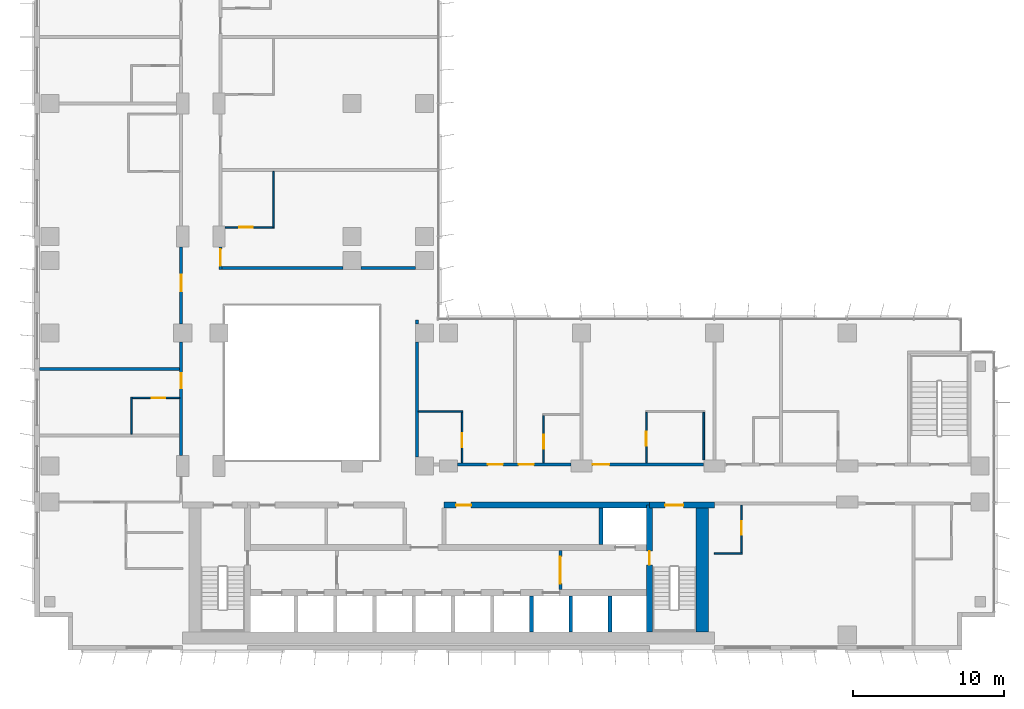
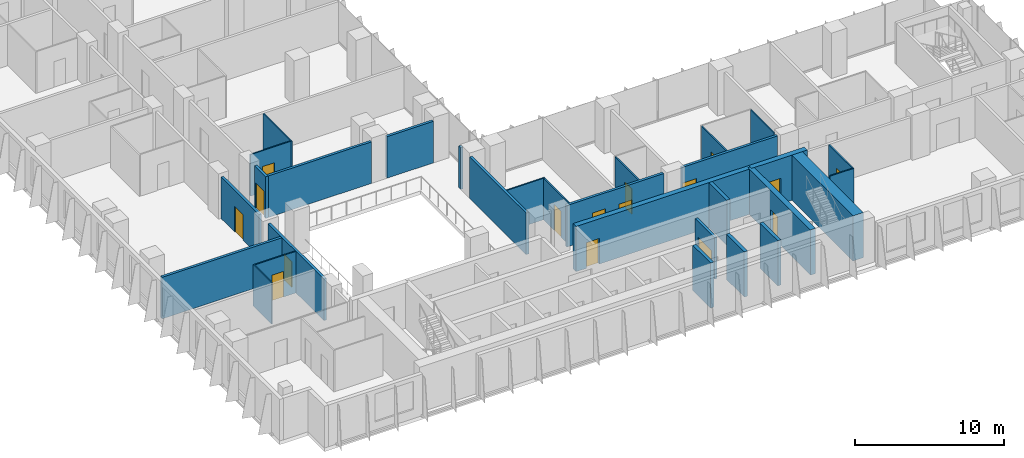
# One storey, part 13 of 22: 30 walls, 16 doors, 16 openings.
"""IFC4 building model written with IfcOpenShell, lengths in metres."""

from ifc_helpers import new_model, si_unit, direction, frame, frame_2d, origin, place, context, subcontext, project, spatial, rectangle, extrude, material, layer, layer_set, type_object, element, fill, save


model = new_model("IFC4")

# Units and contexts
model_context = context("Model", 3, precision=1e-05, world=origin(), true_north=direction((0.0, 1.0)))
body_context = subcontext(model_context, "Body", "Model", "MODEL_VIEW")
ifc_project = project(units=[si_unit("LENGTHUNIT", "METRE"), si_unit("AREAUNIT", "SQUARE_METRE"), si_unit("VOLUMEUNIT", "CUBIC_METRE"), si_unit("PLANEANGLEUNIT", "RADIAN"), si_unit("MASSUNIT", "GRAM", prefix="KILO")], contexts=[model_context])

# Site, building, storey
site_placement = place(None, origin())
site = spatial("IfcSite", under=ifc_project, at=site_placement, CompositionType="ELEMENT")
building_placement = place(site_placement, origin())
building = spatial("IfcBuilding", under=site, at=building_placement, Name="Kemantara Hotel Tower", CompositionType="ELEMENT")
storey_placement = place(building_placement, frame((0.0, 0.0, 94.5)))
storey = spatial("IfcBuildingStorey", under=building, at=storey_placement, Name="L22", CompositionType="ELEMENT", Elevation=94.5)

# Walls
ifc_material_1 = material(Name="Concrete fc 70 MPa", Category="concrete")
ifc_layer_1 = layer(ifc_material_1, 0.25)
ifc_layer_set_1 = layer_set([ifc_layer_1], Name="Concrete fc 70 MPa")
wall_type_1 = type_object("IfcWallType", Name="CORE WALL 250 FC70", PredefinedType="SHEAR", material=ifc_layer_set_1)
for number, where, z_axis, x_axis, name in (
    (1, (32.89990234375, 1.199951171875, 0.0), (0.0, 0.0, 1.0), (0.0, 1.0, 0.0), "CORE WALL CW-DS32.9"),
    (2, (35.5, 1.199951171875, 0.0), (0.0, 0.0, 1.0), (0.0, 1.0, 0.0), "CORE WALL CW-DS35.5"),
    (3, (38.10009765625, 1.199951171875, 0.0), (0.0, 0.0, 1.0), (0.0, 1.0, 0.0), "CORE WALL CW-DS38.1"),
):
    element("IfcWall", number, at=place(storey_placement, frame(where, z_axis=z_axis, x_axis=x_axis)), inside=storey, type_object=wall_type_1, Name=name, PredefinedType="SHEAR", context=body_context, shape_type="SweptSolid", body=[
        extrude(rectangle(XDim=2.400146484375, YDim=0.25, at=frame_2d((1.2001953125, 0.0))), origin(), (0.0, 0.0, 1.0), 3.699951171875),
    ])
wall_1_placement = place(storey_placement, frame((37.5, 7.0, 0.0), z_axis=(0.0, 0.0, 1.0), x_axis=(0.0, 1.0, 0.0)))
element("IfcWall", 4, at=wall_1_placement, inside=storey, type_object=wall_type_1, Name="CORE WALL CW-DN37.5", PredefinedType="SHEAR", context=body_context, shape_type="SweptSolid", body=[
    extrude(rectangle(XDim=2.39990234375, YDim=0.25, at=frame_2d((1.199951171875, 0.0))), origin(), (0.0, 0.0, 1.0), 3.699951171875),
])

# Wall, opening, door
ifc_layer_2 = layer(ifc_material_1, 0.39990234375)
ifc_layer_set_2 = layer_set([ifc_layer_2], Name="Concrete fc 70 MPa")
wall_type_2 = type_object("IfcWallType", Name="CORE WALL 400 FC70", PredefinedType="SHEAR", material=ifc_layer_set_2)
wall_2_placement = place(storey_placement, frame((40.699951171875, 9.60009765625, 0.0), z_axis=(0.0, 0.0, 1.0), x_axis=(1.0, 0.0, 0.0)))
wall_2 = element("IfcWall", 5, at=wall_2_placement, inside=storey, type_object=wall_type_2, Name="CORE WALL CW-N2", PredefinedType="SHEAR", context=body_context, shape_type="SweptSolid", body=[
    extrude(rectangle(XDim=4.300048828125, YDim=0.39990234375, at=frame_2d((2.14990234375, 0.0))), origin(), (0.0, 0.0, 1.0), 3.699951171875),
])
opening_1_placement = place(wall_2_placement, frame((1.050048828125, 0.0, 0.0)))
opening_1 = element("IfcOpeningElement", 6, at=opening_1_placement, cuts=wall_2, Name="Opening C15-ST2-C", PredefinedType="OPENING", context=body_context, shape_type="SweptSolid", body=[
    extrude(rectangle(XDim=1.199951171875, YDim=2.10009765625, at=frame_2d((0.60009765625, 1.050048828125))), frame((0.0, 0.2099609375, 0.0), z_axis=(0.0, -1.0, 0.0), x_axis=(1.0, 0.0, 0.0)), (0.0, 0.0, 1.0), 0.419921875),
])
ifc_material_2 = material(Name="Steel fire door", Category="steel")
door_type_1 = type_object("IfcDoorType", Name="Fire door FD90 1200 x 2100", OperationType="NOTDEFINED", PredefinedType="DOOR", material=ifc_material_2)
door_1_placement = place(opening_1_placement, frame((1.199951171875, 0.0, 0.0), z_axis=(0.0, 0.0, 1.0), x_axis=(-1.0, 0.0, 0.0)))
door_1 = element("IfcDoor", 7, at=door_1_placement, inside=storey, type_object=door_type_1, Name="Stair ST2 door to corridor", OperationType="SINGLE_SWING_RIGHT", OverallHeight=2.10009765625, OverallWidth=1.199951171875, PredefinedType="DOOR", context=body_context, shape_type="SweptSolid", body=[
    extrude(rectangle(XDim=1.199951171875, YDim=2.10009765625, at=frame_2d((0.60009765625, 1.050048828125))), frame((0.0, 0.02490234375, 0.0), z_axis=(0.0, -1.0, 0.0), x_axis=(1.0, 0.0, 0.0)), (0.0, 0.0, 1.0), 0.050048828125),
])
fill(opening_1, door_1)

wall_3_placement = place(storey_placement, frame((27.10009765625, 9.60009765625, 0.0), z_axis=(0.0, 0.0, 1.0), x_axis=(1.0, 0.0, 0.0)))
wall_3 = element("IfcWall", 8, at=wall_3_placement, inside=storey, type_object=wall_type_2, Name="CORE WALL CW-NN2", PredefinedType="SHEAR", context=body_context, shape_type="SweptSolid", body=[
    extrude(rectangle(XDim=13.599853515625, YDim=0.39990234375, at=frame_2d((6.7998046875, 0.0))), origin(), (0.0, 0.0, 1.0), 3.699951171875),
])
opening_2_placement = place(wall_3_placement, frame((0.800048828125, 0.0, 0.0)))
opening_2 = element("IfcOpeningElement", 9, at=opening_2_placement, cuts=wall_3, Name="Opening C15-R-NE1", PredefinedType="OPENING", context=body_context, shape_type="SweptSolid", body=[
    extrude(rectangle(XDim=1.0, YDim=2.10009765625, at=frame_2d((0.5, 1.050048828125))), frame((0.0, 0.2099609375, 0.0), z_axis=(0.0, -1.0, 0.0), x_axis=(1.0, 0.0, 0.0)), (0.0, 0.0, 1.0), 0.419921875),
])
door_type_2 = type_object("IfcDoorType", Name="Fire door FD30S 1000 x 2100", OperationType="NOTDEFINED", PredefinedType="DOOR", material=ifc_material_2)
door_2_placement = place(opening_2_placement, frame((1.0, 0.0, 0.0), z_axis=(0.0, 0.0, 1.0), x_axis=(-1.0, 0.0, 0.0)))
door_2 = element("IfcDoor", 10, at=door_2_placement, inside=storey, type_object=door_type_2, Name="Luggage Store door", OperationType="SINGLE_SWING_RIGHT", OverallHeight=2.10009765625, OverallWidth=1.0, PredefinedType="DOOR", context=body_context, shape_type="SweptSolid", body=[
    extrude(rectangle(XDim=1.0, YDim=2.10009765625, at=frame_2d((0.5, 1.050048828125))), frame((0.0, 0.02490234375, 0.0), z_axis=(0.0, -1.0, 0.0), x_axis=(1.0, 0.0, 0.0)), (0.0, 0.0, 1.0), 0.050048828125),
])
fill(opening_2, door_2)

wall_4_placement = place(storey_placement, frame((40.699951171875, 1.199951171875, 0.0), z_axis=(0.0, 0.0, 1.0), x_axis=(0.0, 1.0, 0.0)))
wall_4 = element("IfcWall", 11, at=wall_4_placement, inside=storey, type_object=wall_type_2, Name="CORE WALL CW-ST2W", PredefinedType="SHEAR", context=body_context, shape_type="SweptSolid", body=[
    extrude(rectangle(XDim=8.400146484375, YDim=0.39990234375, at=frame_2d((4.2001953125, 0.0))), origin(), (0.0, 0.0, 1.0), 3.699951171875),
])
opening_3_placement = place(wall_4_placement, frame((4.449951171875, 0.0, 0.0)))
opening_3 = element("IfcOpeningElement", 12, at=opening_3_placement, cuts=wall_4, Name="Opening C15-ST2-F", PredefinedType="OPENING", context=body_context, shape_type="SweptSolid", body=[
    extrude(rectangle(XDim=0.89990234375, YDim=2.10009765625, at=frame_2d((0.449951171875, 1.050048828125))), frame((0.0, 0.2099609375, 0.0), z_axis=(0.0, -1.0, 0.0), x_axis=(1.0, 0.0, 0.0)), (0.0, 0.0, 1.0), 0.419921875),
])
door_type_3 = type_object("IfcDoorType", Name="Fire door FD90 900 x 2100", OperationType="NOTDEFINED", PredefinedType="DOOR", material=ifc_material_2)
door_3_placement = place(opening_3_placement, frame((0.89990234375, 0.0, 0.0), z_axis=(0.0, 0.0, 1.0), x_axis=(-1.0, 0.0, 0.0)))
door_3 = element("IfcDoor", 13, at=door_3_placement, inside=storey, type_object=door_type_3, Name="Stair ST2 door to firefighting lobby", OperationType="SINGLE_SWING_LEFT", OverallHeight=2.10009765625, OverallWidth=0.89990234375, PredefinedType="DOOR", context=body_context, shape_type="SweptSolid", body=[
    extrude(rectangle(XDim=0.89990234375, YDim=2.10009765625, at=frame_2d((0.449951171875, 1.050048828125))), frame((0.0, 0.02490234375, 0.0), z_axis=(0.0, -1.0, 0.0), x_axis=(1.0, 0.0, 0.0)), (0.0, 0.0, 1.0), 0.050048828125),
])
fill(opening_3, door_3)

# Wall
ifc_layer_3 = layer(ifc_material_1, 0.800048828125)
ifc_layer_set_3 = layer_set([ifc_layer_3], Name="Concrete fc 70 MPa")
wall_type_3 = type_object("IfcWallType", Name="CORE WALL 800 FC70", PredefinedType="SHEAR", material=ifc_layer_set_3)
wall_5_placement = place(storey_placement, frame((44.199951171875, 1.199951171875, 0.0), z_axis=(0.0, 0.0, 1.0), x_axis=(0.0, 1.0, 0.0)))
element("IfcWall", 14, at=wall_5_placement, inside=storey, type_object=wall_type_3, Name="CORE WALL CW-E", PredefinedType="SHEAR", context=body_context, shape_type="SweptSolid", body=[
    extrude(rectangle(XDim=8.60009765625, YDim=0.800048828125, at=frame_2d((4.300048828125, 0.0))), origin(), (0.0, 0.0, 1.0), 3.699951171875),
])

# Wall, openings, doors
ifc_material_3 = material(Name="Gypsum board partition, steel studs and mineral wool, 200 mm", Category="steel")
ifc_layer_4 = layer(ifc_material_3, 0.199951171875)
ifc_layer_set_4 = layer_set([ifc_layer_4], Name="Gypsum board partition, steel studs and mineral wool, 200 mm")
wall_type_4 = type_object("IfcWallType", Name="CORRIDOR WALL 200", PredefinedType="PARTITIONING", material=ifc_layer_set_4)
wall_6_placement = place(storey_placement, frame((28.0, 12.300048828125, 0.0), z_axis=(0.0, 0.0, 1.0), x_axis=(1.0, 0.0, 0.0)))
wall_6 = element("IfcWall", 15, at=wall_6_placement, inside=storey, type_object=wall_type_4, Name="CORRIDOR WALL 200 005", PredefinedType="PARTITIONING", context=body_context, shape_type="SweptSolid", body=[
    extrude(rectangle(XDim=7.5, YDim=0.199951171875, at=frame_2d((3.75, 0.0))), origin(), (0.0, 0.0, 1.0), 3.39990234375),
])
opening_4_placement = place(wall_6_placement, frame((2.0, 0.0, 0.0)))
opening_4 = element("IfcOpeningElement", 16, at=opening_4_placement, cuts=wall_6, Name="Opening F08-005", PredefinedType="OPENING", context=body_context, shape_type="SweptSolid", body=[
    extrude(rectangle(XDim=1.0, YDim=2.10009765625, at=frame_2d((0.5, 1.050048828125))), frame((0.0, 0.10986328125, 0.0), z_axis=(0.0, -1.0, 0.0), x_axis=(1.0, 0.0, 0.0)), (0.0, 0.0, 1.0), 0.219970703125),
])
opening_5_placement = place(wall_6_placement, frame((4.0498046875, 0.0, 0.0)))
opening_5 = element("IfcOpeningElement", 17, at=opening_5_placement, cuts=wall_6, Name="Opening F08-007", PredefinedType="OPENING", context=body_context, shape_type="SweptSolid", body=[
    extrude(rectangle(XDim=1.0, YDim=2.10009765625, at=frame_2d((0.5, 1.050048828125))), frame((0.0, 0.10986328125, 0.0), z_axis=(0.0, -1.0, 0.0), x_axis=(1.0, 0.0, 0.0)), (0.0, 0.0, 1.0), 0.219970703125),
])
ifc_material_4 = material(Name="Hardwood veneer door leaf with steel frame", Category="steel")
door_type_4 = type_object("IfcDoorType", Name="GUEST ROOM DOOR 1000 X 2100 FD30S", OperationType="NOTDEFINED", PredefinedType="DOOR", material=ifc_material_4)
door_4_placement = place(opening_4_placement, origin())
door_4 = element("IfcDoor", 18, at=door_4_placement, inside=storey, type_object=door_type_4, Name="GUEST ROOM DOOR F08-005", OperationType="SINGLE_SWING_RIGHT", OverallHeight=2.10009765625, OverallWidth=1.0, PredefinedType="DOOR", context=body_context, shape_type="SweptSolid", body=[
    extrude(rectangle(XDim=1.0, YDim=2.10009765625, at=frame_2d((0.5, 1.050048828125))), frame((0.0, 0.02490234375, 0.0), z_axis=(0.0, -1.0, 0.0), x_axis=(1.0, 0.0, 0.0)), (0.0, 0.0, 1.0), 0.050048828125),
])
fill(opening_4, door_4)
door_5_placement = place(opening_5_placement, origin())
door_5 = element("IfcDoor", 19, at=door_5_placement, inside=storey, type_object=door_type_4, Name="GUEST ROOM DOOR F08-007", OperationType="SINGLE_SWING_LEFT", OverallHeight=2.10009765625, OverallWidth=1.0, PredefinedType="DOOR", context=body_context, shape_type="SweptSolid", body=[
    extrude(rectangle(XDim=1.0, YDim=2.10009765625, at=frame_2d((0.5, 1.050048828125))), frame((0.0, 0.02490234375, 0.0), z_axis=(0.0, -1.0, 0.0), x_axis=(1.0, 0.0, 0.0)), (0.0, 0.0, 1.0), 0.050048828125),
])
fill(opening_5, door_5)

# Wall, opening, door
wall_7_placement = place(storey_placement, frame((36.900146484375, 12.300048828125, 0.0), z_axis=(0.0, 0.0, 1.0), x_axis=(1.0, 0.0, 0.0)))
wall_7 = element("IfcWall", 20, at=wall_7_placement, inside=storey, type_object=wall_type_4, Name="CORRIDOR WALL 200 006", PredefinedType="PARTITIONING", context=body_context, shape_type="SweptSolid", body=[
    extrude(rectangle(XDim=7.399658203125, YDim=0.199951171875, at=frame_2d((3.69970703125, 0.0))), origin(), (0.0, 0.0, 1.0), 3.39990234375),
])
opening_6_placement = place(wall_7_placement, frame((0.0498046875, 0.0, 0.0)))
opening_6 = element("IfcOpeningElement", 21, at=opening_6_placement, cuts=wall_7, Name="Opening F08-009", PredefinedType="OPENING", context=body_context, shape_type="SweptSolid", body=[
    extrude(rectangle(XDim=1.10009765625, YDim=2.10009765625, at=frame_2d((0.550048828125, 1.050048828125))), frame((0.0, 0.10986328125, 0.0), z_axis=(0.0, -1.0, 0.0), x_axis=(1.0, 0.0, 0.0)), (0.0, 0.0, 1.0), 0.219970703125),
])
door_type_5 = type_object("IfcDoorType", Name="SUITE ENTRANCE DOOR 1100 X 2100 FD30S", OperationType="NOTDEFINED", PredefinedType="DOOR", material=ifc_material_4)
door_6_placement = place(opening_6_placement, origin())
door_6 = element("IfcDoor", 22, at=door_6_placement, inside=storey, type_object=door_type_5, Name="SUITE ENTRANCE DOOR F08-009", OperationType="SINGLE_SWING_LEFT", OverallHeight=2.10009765625, OverallWidth=1.10009765625, PredefinedType="DOOR", context=body_context, shape_type="SweptSolid", body=[
    extrude(rectangle(XDim=1.10009765625, YDim=2.10009765625, at=frame_2d((0.550048828125, 1.050048828125))), frame((0.0, 0.02490234375, 0.0), z_axis=(0.0, -1.0, 0.0), x_axis=(1.0, 0.0, 0.0)), (0.0, 0.0, 1.0), 0.050048828125),
])
fill(opening_6, door_6)

wall_8_placement = place(storey_placement, frame((9.699951171875, 12.900146484375, 0.0), z_axis=(0.0, 0.0, 1.0), x_axis=(0.0, 1.0, 0.0)))
wall_8 = element("IfcWall", 23, at=wall_8_placement, inside=storey, type_object=wall_type_4, Name="CORRIDOR WALL 200 016", PredefinedType="PARTITIONING", context=body_context, shape_type="SweptSolid", body=[
    extrude(rectangle(XDim=7.499755859375, YDim=0.199951171875, at=frame_2d((3.75, 0.0))), origin(), (0.0, 0.0, 1.0), 3.39990234375),
])
opening_7_placement = place(wall_8_placement, frame((4.449951171875, 0.0, 0.0)))
opening_7 = element("IfcOpeningElement", 24, at=opening_7_placement, cuts=wall_8, Name="Opening F08-019", PredefinedType="OPENING", context=body_context, shape_type="SweptSolid", body=[
    extrude(rectangle(XDim=1.0, YDim=2.10009765625, at=frame_2d((0.5, 1.050048828125))), frame((0.0, 0.10986328125, 0.0), z_axis=(0.0, -1.0, 0.0), x_axis=(1.0, 0.0, 0.0)), (0.0, 0.0, 1.0), 0.219970703125),
])
door_7_placement = place(opening_7_placement, origin())
door_7 = element("IfcDoor", 25, at=door_7_placement, inside=storey, type_object=door_type_4, Name="GUEST ROOM DOOR F08-019", OperationType="SINGLE_SWING_RIGHT", OverallHeight=2.10009765625, OverallWidth=1.0, PredefinedType="DOOR", context=body_context, shape_type="SweptSolid", body=[
    extrude(rectangle(XDim=1.0, YDim=2.10009765625, at=frame_2d((0.5, 1.050048828125))), frame((0.0, 0.02490234375, 0.0), z_axis=(0.0, -1.0, 0.0), x_axis=(1.0, 0.0, 0.0)), (0.0, 0.0, 1.0), 0.050048828125),
])
fill(opening_7, door_7)

wall_9_placement = place(storey_placement, frame((9.699951171875, 21.60009765625, 0.0), z_axis=(0.0, 0.0, 1.0), x_axis=(0.0, 1.0, 0.0)))
wall_9 = element("IfcWall", 26, at=wall_9_placement, inside=storey, type_object=wall_type_4, Name="CORRIDOR WALL 200 017", PredefinedType="PARTITIONING", context=body_context, shape_type="SweptSolid", body=[
    extrude(rectangle(XDim=5.099853515625, YDim=0.199951171875, at=frame_2d((2.5498046875, 0.0))), origin(), (0.0, 0.0, 1.0), 3.39990234375),
])
opening_8_placement = place(wall_9_placement, frame((2.14990234375, 0.0, 0.0)))
opening_8 = element("IfcOpeningElement", 27, at=opening_8_placement, cuts=wall_9, Name="Opening F08-021", PredefinedType="OPENING", context=body_context, shape_type="SweptSolid", body=[
    extrude(rectangle(XDim=1.10009765625, YDim=2.10009765625, at=frame_2d((0.550048828125, 1.050048828125))), frame((0.0, 0.10986328125, 0.0), z_axis=(0.0, -1.0, 0.0), x_axis=(1.0, 0.0, 0.0)), (0.0, 0.0, 1.0), 0.219970703125),
])
door_8_placement = place(opening_8_placement, origin())
door_8 = element("IfcDoor", 28, at=door_8_placement, inside=storey, type_object=door_type_5, Name="SUITE ENTRANCE DOOR F08-021", OperationType="SINGLE_SWING_LEFT", OverallHeight=2.10009765625, OverallWidth=1.10009765625, PredefinedType="DOOR", context=body_context, shape_type="SweptSolid", body=[
    extrude(rectangle(XDim=1.10009765625, YDim=2.10009765625, at=frame_2d((0.550048828125, 1.050048828125))), frame((0.0, 0.02490234375, 0.0), z_axis=(0.0, -1.0, 0.0), x_axis=(1.0, 0.0, 0.0)), (0.0, 0.0, 1.0), 0.050048828125),
])
fill(opening_8, door_8)

wall_10_placement = place(storey_placement, frame((12.300048828125, 26.699951171875, 0.0), z_axis=(0.0, 0.0, 1.0), x_axis=(0.0, -1.0, 0.0)))
wall_10 = element("IfcWall", 29, at=wall_10_placement, inside=storey, type_object=wall_type_4, Name="CORRIDOR WALL 200 030", PredefinedType="PARTITIONING", context=body_context, shape_type="SweptSolid", body=[
    extrude(rectangle(XDim=1.5, YDim=0.199951171875, at=frame_2d((0.75, 0.0))), origin(), (0.0, 0.0, 1.0), 3.39990234375),
])
opening_9_placement = place(wall_10_placement, frame((0.14990234375, 0.0, 0.0)))
opening_9 = element("IfcOpeningElement", 30, at=opening_9_placement, cuts=wall_10, Name="Opening F08-033", PredefinedType="OPENING", context=body_context, shape_type="SweptSolid", body=[
    extrude(rectangle(XDim=1.10009765625, YDim=2.10009765625, at=frame_2d((0.550048828125, 1.050048828125))), frame((0.0, 0.10986328125, 0.0), z_axis=(0.0, -1.0, 0.0), x_axis=(1.0, 0.0, 0.0)), (0.0, 0.0, 1.0), 0.219970703125),
])
door_9_placement = place(opening_9_placement, origin())
door_9 = element("IfcDoor", 31, at=door_9_placement, inside=storey, type_object=door_type_5, Name="SUITE ENTRANCE DOOR F08-033", OperationType="SINGLE_SWING_RIGHT", OverallHeight=2.10009765625, OverallWidth=1.10009765625, PredefinedType="DOOR", context=body_context, shape_type="SweptSolid", body=[
    extrude(rectangle(XDim=1.10009765625, YDim=2.10009765625, at=frame_2d((0.550048828125, 1.050048828125))), frame((0.0, 0.02490234375, 0.0), z_axis=(0.0, -1.0, 0.0), x_axis=(1.0, 0.0, 0.0)), (0.0, 0.0, 1.0), 0.050048828125),
])
fill(opening_9, door_9)

# Walls
ifc_layer_5 = layer(ifc_material_3, 0.199951171875)
ifc_layer_set_5 = layer_set([ifc_layer_5], Name="Gypsum board partition, steel studs and mineral wool, 200 mm")
wall_type_5 = type_object("IfcWallType", Name="GUEST ROOM PARTY WALL 200", PredefinedType="PARTITIONING", material=ifc_layer_set_5)
wall_11_placement = place(storey_placement, frame((25.300048828125, 12.800048828125, 0.0), z_axis=(0.0, 0.0, 1.0), x_axis=(0.0, 1.0, 0.0)))
element("IfcWall", 32, at=wall_11_placement, inside=storey, type_object=wall_type_5, Name="GUEST ROOM PARTY WALL 200 009", PredefinedType="PARTITIONING", context=body_context, shape_type="SweptSolid", body=[
    extrude(rectangle(XDim=7.599853515625, YDim=0.199951171875, at=frame_2d((3.7998046875, 0.0))), origin(), (0.0, 0.0, 1.0), 3.39990234375),
])
wall_12_placement = place(storey_placement, frame((25.300048828125, 21.60009765625, 0.0), z_axis=(0.0, 0.0, 1.0), x_axis=(0.0, 1.0, 0.0)))
element("IfcWall", 33, at=wall_12_placement, inside=storey, type_object=wall_type_5, Name="GUEST ROOM PARTY WALL 200 010", PredefinedType="PARTITIONING", context=body_context, shape_type="SweptSolid", body=[
    extrude(rectangle(XDim=0.27001953125, YDim=0.199951171875, at=frame_2d((0.135009765625, 0.0))), origin(), (0.0, 0.0, 1.0), 3.39990234375),
])
wall_13_placement = place(storey_placement, frame((0.31005859375, 18.60009765625, 0.0), z_axis=(0.0, 0.0, 1.0), x_axis=(1.0, 0.0, 0.0)))
element("IfcWall", 34, at=wall_13_placement, inside=storey, type_object=wall_type_5, Name="GUEST ROOM PARTY WALL 200 025", PredefinedType="PARTITIONING", context=body_context, shape_type="SweptSolid", body=[
    extrude(rectangle(XDim=9.2900390625, YDim=0.199951171875, at=frame_2d((4.64501953125, 0.0))), origin(), (0.0, 0.0, 1.0), 3.39990234375),
])
wall_14_placement = place(storey_placement, frame((12.39990234375, 25.300048828125, 0.0), z_axis=(0.0, 0.0, 1.0), x_axis=(1.0, 0.0, 0.0)))
element("IfcWall", 35, at=wall_14_placement, inside=storey, type_object=wall_type_5, Name="GUEST ROOM PARTY WALL 200 037", PredefinedType="PARTITIONING", context=body_context, shape_type="SweptSolid", body=[
    extrude(rectangle(XDim=8.0, YDim=0.199951171875, at=frame_2d((4.0, 0.0))), origin(), (0.0, 0.0, 1.0), 3.39990234375),
])
wall_15_placement = place(storey_placement, frame((21.60009765625, 25.300048828125, 0.0), z_axis=(0.0, 0.0, 1.0), x_axis=(1.0, 0.0, 0.0)))
element("IfcWall", 36, at=wall_15_placement, inside=storey, type_object=wall_type_5, Name="GUEST ROOM PARTY WALL 200 038", PredefinedType="PARTITIONING", context=body_context, shape_type="SweptSolid", body=[
    extrude(rectangle(XDim=3.599853515625, YDim=0.199951171875, at=frame_2d((1.7998046875, 0.0))), origin(), (0.0, 0.0, 1.0), 3.39990234375),
])

# Wall, opening, door
ifc_material_5 = material(Name="Gypsum board shaft wall")
ifc_layer_6 = layer(ifc_material_5, 0.199951171875)
ifc_layer_set_6 = layer_set([ifc_layer_6], Name="Gypsum board shaft wall")
wall_type_6 = type_object("IfcWallType", Name="Gypsum board shaft wall 200 mm", PredefinedType="PARTITIONING", material=ifc_layer_set_6)
wall_16_placement = place(storey_placement, frame((34.800048828125, 4.0, 0.0), z_axis=(0.0, 0.0, 1.0), x_axis=(0.0, 1.0, 0.0)))
wall_16 = element("IfcWall", 37, at=wall_16_placement, inside=storey, type_object=wall_type_6, Name="Firefighting lobby partition east", PredefinedType="PARTITIONING", context=body_context, shape_type="SweptSolid", body=[
    extrude(rectangle(XDim=2.60009765625, YDim=0.199951171875, at=frame_2d((1.300048828125, 0.0))), origin(), (0.0, 0.0, 1.0), 3.39990234375),
])
opening_10_placement = place(wall_16_placement, frame((0.39990234375, 0.0, 0.0)))
opening_10 = element("IfcOpeningElement", 38, at=opening_10_placement, cuts=wall_16, Name="Opening C15-FFE", PredefinedType="OPENING", context=body_context, shape_type="SweptSolid", body=[
    extrude(rectangle(XDim=1.800048828125, YDim=2.10009765625, at=frame_2d((0.89990234375, 1.050048828125))), frame((0.0, 0.10986328125, 0.0), z_axis=(0.0, -1.0, 0.0), x_axis=(1.0, 0.0, 0.0)), (0.0, 0.0, 1.0), 0.219970703125),
])
door_type_6 = type_object("IfcDoorType", Name="Fire door pair FD60 1800 x 2100", OperationType="DOUBLE_DOOR_SINGLE_SWING", PredefinedType="DOOR", material=ifc_material_2)
door_10_placement = place(opening_10_placement, frame((1.800048828125, 0.0, 0.0), z_axis=(0.0, 0.0, 1.0), x_axis=(-1.0, 0.0, 0.0)))
door_10 = element("IfcDoor", 39, at=door_10_placement, inside=storey, type_object=door_type_6, Name="Firefighting lobby door east", OperationType="DOUBLE_DOOR_SINGLE_SWING", OverallHeight=2.10009765625, OverallWidth=1.800048828125, PredefinedType="DOOR", context=body_context, shape_type="SweptSolid", body=[
    extrude(rectangle(XDim=1.800048828125, YDim=2.10009765625, at=frame_2d((0.89990234375, 1.050048828125))), frame((0.0, 0.02490234375, 0.0), z_axis=(0.0, -1.0, 0.0), x_axis=(1.0, 0.0, 0.0)), (0.0, 0.0, 1.0), 0.050048828125),
])
fill(opening_10, door_10)

# Wall
ifc_material_6 = material(Name="Gypsum board partition on steel studs, 100 mm", Category="steel")
ifc_layer_7 = layer(ifc_material_6, 0.10009765625)
ifc_layer_set_7 = layer_set([ifc_layer_7], Name="Gypsum board partition on steel studs, 100 mm")
wall_type_7 = type_object("IfcWallType", Name="ROOM PARTITION 100", PredefinedType="PARTITIONING", material=ifc_layer_set_7)
wall_17_placement = place(storey_placement, frame((45.0, 6.39990234375, 0.0), z_axis=(0.0, 0.0, 1.0), x_axis=(1.0, 0.0, 0.0)))
element("IfcWall", 40, at=wall_17_placement, inside=storey, type_object=wall_type_7, Name="ROOM PARTITION 100 050", PredefinedType="PARTITIONING", context=body_context, shape_type="SweptSolid", body=[
    extrude(rectangle(XDim=1.85009765625, YDim=0.10009765625, at=frame_2d((0.925048828125, 0.0))), origin(), (0.0, 0.0, 1.0), 3.39990234375),
])

# Wall, opening, door
wall_18_placement = place(storey_placement, frame((46.800048828125, 6.449951171875, 0.0), z_axis=(0.0, 0.0, 1.0), x_axis=(0.0, 1.0, 0.0)))
wall_18 = element("IfcWall", 41, at=wall_18_placement, inside=storey, type_object=wall_type_7, Name="ROOM PARTITION 100 051", PredefinedType="PARTITIONING", context=body_context, shape_type="SweptSolid", body=[
    extrude(rectangle(XDim=3.150146484375, YDim=0.10009765625, at=frame_2d((1.5751953125, 0.0))), origin(), (0.0, 0.0, 1.0), 3.39990234375),
])
opening_11_placement = place(wall_18_placement, frame((1.199951171875, 0.0, 0.0)))
opening_11 = element("IfcOpeningElement", 42, at=opening_11_placement, cuts=wall_18, Name="Opening F08-002", PredefinedType="OPENING", context=body_context, shape_type="SweptSolid", body=[
    extrude(rectangle(XDim=0.89990234375, YDim=2.10009765625, at=frame_2d((0.449951171875, 1.050048828125))), frame((0.0, 0.06005859375, 0.0), z_axis=(0.0, -1.0, 0.0), x_axis=(1.0, 0.0, 0.0)), (0.0, 0.0, 1.0), 0.1201171875),
])
door_type_7 = type_object("IfcDoorType", Name="INTERNAL DOOR 900 X 2100", OperationType="NOTDEFINED", PredefinedType="DOOR", material=ifc_material_4)
door_11_placement = place(opening_11_placement, origin())
door_11 = element("IfcDoor", 43, at=door_11_placement, inside=storey, type_object=door_type_7, Name="INTERNAL DOOR F08-002", OperationType="SINGLE_SWING_RIGHT", OverallHeight=2.10009765625, OverallWidth=0.89990234375, PredefinedType="DOOR", context=body_context, shape_type="SweptSolid", body=[
    extrude(rectangle(XDim=0.89990234375, YDim=2.10009765625, at=frame_2d((0.449951171875, 1.050048828125))), frame((0.0, 0.02490234375, 0.0), z_axis=(0.0, -1.0, 0.0), x_axis=(1.0, 0.0, 0.0)), (0.0, 0.0, 1.0), 0.050048828125),
])
fill(opening_11, door_11)

# Wall
wall_19_placement = place(storey_placement, frame((25.39990234375, 15.800048828125, 0.0), z_axis=(0.0, 0.0, 1.0), x_axis=(1.0, 0.0, 0.0)))
element("IfcWall", 44, at=wall_19_placement, inside=storey, type_object=wall_type_7, Name="ROOM PARTITION 100 054", PredefinedType="PARTITIONING", context=body_context, shape_type="SweptSolid", body=[
    extrude(rectangle(XDim=2.9501953125, YDim=0.10009765625, at=frame_2d((1.47509765625, 0.0))), origin(), (0.0, 0.0, 1.0), 3.39990234375),
])

# Wall, opening, door
wall_20_placement = place(storey_placement, frame((28.300048828125, 12.39990234375, 0.0), z_axis=(0.0, 0.0, 1.0), x_axis=(0.0, 1.0, 0.0)))
wall_20 = element("IfcWall", 45, at=wall_20_placement, inside=storey, type_object=wall_type_7, Name="ROOM PARTITION 100 057", PredefinedType="PARTITIONING", context=body_context, shape_type="SweptSolid", body=[
    extrude(rectangle(XDim=3.35009765625, YDim=0.10009765625, at=frame_2d((1.675048828125, 0.0))), origin(), (0.0, 0.0, 1.0), 3.39990234375),
])
opening_12_placement = place(wall_20_placement, frame((1.050048828125, 0.0, 0.0)))
opening_12 = element("IfcOpeningElement", 46, at=opening_12_placement, cuts=wall_20, Name="Opening F08-006", PredefinedType="OPENING", context=body_context, shape_type="SweptSolid", body=[
    extrude(rectangle(XDim=0.89990234375, YDim=2.10009765625, at=frame_2d((0.449951171875, 1.050048828125))), frame((0.0, 0.06005859375, 0.0), z_axis=(0.0, -1.0, 0.0), x_axis=(1.0, 0.0, 0.0)), (0.0, 0.0, 1.0), 0.1201171875),
])
door_type_8 = type_object("IfcDoorType", Name="BATHROOM DOOR 900 X 2100", OperationType="NOTDEFINED", PredefinedType="DOOR", material=ifc_material_4)
door_12_placement = place(opening_12_placement, origin())
door_12 = element("IfcDoor", 47, at=door_12_placement, inside=storey, type_object=door_type_8, Name="BATHROOM DOOR F08-006", OperationType="SINGLE_SWING_LEFT", OverallHeight=2.10009765625, OverallWidth=0.89990234375, PredefinedType="DOOR", context=body_context, shape_type="SweptSolid", body=[
    extrude(rectangle(XDim=0.89990234375, YDim=2.10009765625, at=frame_2d((0.449951171875, 1.050048828125))), frame((0.0, 0.02490234375, 0.0), z_axis=(0.0, -1.0, 0.0), x_axis=(1.0, 0.0, 0.0)), (0.0, 0.0, 1.0), 0.050048828125),
])
fill(opening_12, door_12)

wall_21_placement = place(storey_placement, frame((33.699951171875, 15.550048828125, 0.0), z_axis=(0.0, 0.0, 1.0), x_axis=(0.0, -1.0, 0.0)))
wall_21 = element("IfcWall", 48, at=wall_21_placement, inside=storey, type_object=wall_type_7, Name="ROOM PARTITION 100 059", PredefinedType="PARTITIONING", context=body_context, shape_type="SweptSolid", body=[
    extrude(rectangle(XDim=3.150146484375, YDim=0.10009765625, at=frame_2d((1.5751953125, 0.0))), origin(), (0.0, 0.0, 1.0), 3.39990234375),
])
opening_13_placement = place(wall_21_placement, frame((1.300048828125, 0.0, 0.0)))
opening_13 = element("IfcOpeningElement", 49, at=opening_13_placement, cuts=wall_21, Name="Opening F08-008", PredefinedType="OPENING", context=body_context, shape_type="SweptSolid", body=[
    extrude(rectangle(XDim=0.89990234375, YDim=2.10009765625, at=frame_2d((0.449951171875, 1.050048828125))), frame((0.0, 0.06005859375, 0.0), z_axis=(0.0, -1.0, 0.0), x_axis=(1.0, 0.0, 0.0)), (0.0, 0.0, 1.0), 0.1201171875),
])
door_13_placement = place(opening_13_placement, origin())
door_13 = element("IfcDoor", 50, at=door_13_placement, inside=storey, type_object=door_type_8, Name="BATHROOM DOOR F08-008", OperationType="SINGLE_SWING_RIGHT", OverallHeight=2.10009765625, OverallWidth=0.89990234375, PredefinedType="DOOR", context=body_context, shape_type="SweptSolid", body=[
    extrude(rectangle(XDim=0.89990234375, YDim=2.10009765625, at=frame_2d((0.449951171875, 1.050048828125))), frame((0.0, 0.02490234375, 0.0), z_axis=(0.0, -1.0, 0.0), x_axis=(1.0, 0.0, 0.0)), (0.0, 0.0, 1.0), 0.050048828125),
])
fill(opening_13, door_13)

wall_22_placement = place(storey_placement, frame((40.5, 15.75, 0.0), z_axis=(0.0, 0.0, 1.0), x_axis=(0.0, -1.0, 0.0)))
wall_22 = element("IfcWall", 51, at=wall_22_placement, inside=storey, type_object=wall_type_7, Name="ROOM PARTITION 100 060", PredefinedType="PARTITIONING", context=body_context, shape_type="SweptSolid", body=[
    extrude(rectangle(XDim=3.35009765625, YDim=0.10009765625, at=frame_2d((1.675048828125, 0.0))), origin(), (0.0, 0.0, 1.0), 3.39990234375),
])
opening_14_placement = place(wall_22_placement, frame((1.300048828125, 0.0, 0.0)))
opening_14 = element("IfcOpeningElement", 52, at=opening_14_placement, cuts=wall_22, Name="Opening F08-010", PredefinedType="OPENING", context=body_context, shape_type="SweptSolid", body=[
    extrude(rectangle(XDim=0.89990234375, YDim=2.10009765625, at=frame_2d((0.449951171875, 1.050048828125))), frame((0.0, 0.06005859375, 0.0), z_axis=(0.0, -1.0, 0.0), x_axis=(1.0, 0.0, 0.0)), (0.0, 0.0, 1.0), 0.1201171875),
])
door_14_placement = place(opening_14_placement, origin())
door_14 = element("IfcDoor", 53, at=door_14_placement, inside=storey, type_object=door_type_8, Name="BATHROOM DOOR F08-010", OperationType="SINGLE_SWING_RIGHT", OverallHeight=2.10009765625, OverallWidth=0.89990234375, PredefinedType="DOOR", context=body_context, shape_type="SweptSolid", body=[
    extrude(rectangle(XDim=0.89990234375, YDim=2.10009765625, at=frame_2d((0.449951171875, 1.050048828125))), frame((0.0, 0.02490234375, 0.0), z_axis=(0.0, -1.0, 0.0), x_axis=(1.0, 0.0, 0.0)), (0.0, 0.0, 1.0), 0.050048828125),
])
fill(opening_14, door_14)

# Walls
wall_23_placement = place(storey_placement, frame((44.300048828125, 12.60009765625, 0.0), z_axis=(0.0, 0.0, 1.0), x_axis=(0.0, 1.0, 0.0)))
element("IfcWall", 54, at=wall_23_placement, inside=storey, type_object=wall_type_7, Name="ROOM PARTITION 100 061", PredefinedType="PARTITIONING", context=body_context, shape_type="SweptSolid", body=[
    extrude(rectangle(XDim=3.14990234375, YDim=0.10009765625, at=frame_2d((1.574951171875, 0.0))), origin(), (0.0, 0.0, 1.0), 3.39990234375),
])
wall_24_placement = place(storey_placement, frame((6.39990234375, 14.300048828125, 0.0), z_axis=(0.0, 0.0, 1.0), x_axis=(0.0, 1.0, 0.0)))
element("IfcWall", 55, at=wall_24_placement, inside=storey, type_object=wall_type_7, Name="ROOM PARTITION 100 070", PredefinedType="PARTITIONING", context=body_context, shape_type="SweptSolid", body=[
    extrude(rectangle(XDim=2.449951171875, YDim=0.10009765625, at=frame_2d((1.22509765625, 0.0))), origin(), (0.0, 0.0, 1.0), 3.39990234375),
])

# Wall, opening, door
wall_25_placement = place(storey_placement, frame((9.60009765625, 16.699951171875, 0.0), z_axis=(0.0, 0.0, 1.0), x_axis=(-1.0, 0.0, 0.0)))
wall_25 = element("IfcWall", 56, at=wall_25_placement, inside=storey, type_object=wall_type_7, Name="ROOM PARTITION 100 072", PredefinedType="PARTITIONING", context=body_context, shape_type="SweptSolid", body=[
    extrude(rectangle(XDim=3.150146484375, YDim=0.10009765625, at=frame_2d((1.5751953125, 0.0))), origin(), (0.0, 0.0, 1.0), 3.39990234375),
])
opening_15_placement = place(wall_25_placement, frame((0.949951171875, 0.0, 0.0)))
opening_15 = element("IfcOpeningElement", 57, at=opening_15_placement, cuts=wall_25, Name="Opening F08-020", PredefinedType="OPENING", context=body_context, shape_type="SweptSolid", body=[
    extrude(rectangle(XDim=0.89990234375, YDim=2.10009765625, at=frame_2d((0.449951171875, 1.050048828125))), frame((0.0, 0.06005859375, 0.0), z_axis=(0.0, -1.0, 0.0), x_axis=(1.0, 0.0, 0.0)), (0.0, 0.0, 1.0), 0.1201171875),
])
door_15_placement = place(opening_15_placement, origin())
door_15 = element("IfcDoor", 58, at=door_15_placement, inside=storey, type_object=door_type_8, Name="BATHROOM DOOR F08-020", OperationType="SINGLE_SWING_LEFT", OverallHeight=2.10009765625, OverallWidth=0.89990234375, PredefinedType="DOOR", context=body_context, shape_type="SweptSolid", body=[
    extrude(rectangle(XDim=0.89990234375, YDim=2.10009765625, at=frame_2d((0.449951171875, 1.050048828125))), frame((0.0, 0.02490234375, 0.0), z_axis=(0.0, -1.0, 0.0), x_axis=(1.0, 0.0, 0.0)), (0.0, 0.0, 1.0), 0.050048828125),
])
fill(opening_15, door_15)

# Wall
wall_26_placement = place(storey_placement, frame((15.800048828125, 27.949951171875, 0.0), z_axis=(0.0, 0.0, 1.0), x_axis=(0.0, 1.0, 0.0)))
element("IfcWall", 59, at=wall_26_placement, inside=storey, type_object=wall_type_7, Name="ROOM PARTITION 100 085", PredefinedType="PARTITIONING", context=body_context, shape_type="SweptSolid", body=[
    extrude(rectangle(XDim=3.75, YDim=0.10009765625, at=frame_2d((1.875, 0.0))), origin(), (0.0, 0.0, 1.0), 3.39990234375),
])

# Wall, opening, door
wall_27_placement = place(storey_placement, frame((12.60009765625, 28.0, 0.0), z_axis=(0.0, 0.0, 1.0), x_axis=(1.0, 0.0, 0.0)))
wall_27 = element("IfcWall", 60, at=wall_27_placement, inside=storey, type_object=wall_type_7, Name="ROOM PARTITION 100 088", PredefinedType="PARTITIONING", context=body_context, shape_type="SweptSolid", body=[
    extrude(rectangle(XDim=3.14990234375, YDim=0.10009765625, at=frame_2d((1.574951171875, 0.0))), origin(), (0.0, 0.0, 1.0), 3.39990234375),
])
opening_16_placement = place(wall_27_placement, frame((0.949951171875, 0.0, 0.0)))
opening_16 = element("IfcOpeningElement", 61, at=opening_16_placement, cuts=wall_27, Name="Opening F08-034", PredefinedType="OPENING", context=body_context, shape_type="SweptSolid", body=[
    extrude(rectangle(XDim=0.89990234375, YDim=2.10009765625, at=frame_2d((0.449951171875, 1.050048828125))), frame((0.0, 0.06005859375, 0.0), z_axis=(0.0, -1.0, 0.0), x_axis=(1.0, 0.0, 0.0)), (0.0, 0.0, 1.0), 0.1201171875),
])
door_16_placement = place(opening_16_placement, origin())
door_16 = element("IfcDoor", 62, at=door_16_placement, inside=storey, type_object=door_type_8, Name="BATHROOM DOOR F08-034", OperationType="SINGLE_SWING_LEFT", OverallHeight=2.10009765625, OverallWidth=0.89990234375, PredefinedType="DOOR", context=body_context, shape_type="SweptSolid", body=[
    extrude(rectangle(XDim=0.89990234375, YDim=2.10009765625, at=frame_2d((0.449951171875, 1.050048828125))), frame((0.0, 0.02490234375, 0.0), z_axis=(0.0, -1.0, 0.0), x_axis=(1.0, 0.0, 0.0)), (0.0, 0.0, 1.0), 0.050048828125),
])
fill(opening_16, door_16)

save(model, "model.ifc")
